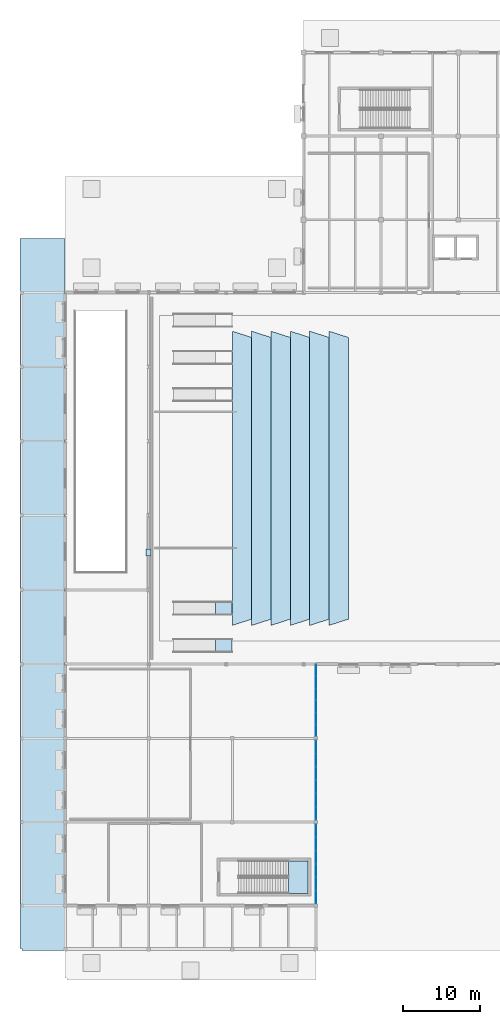
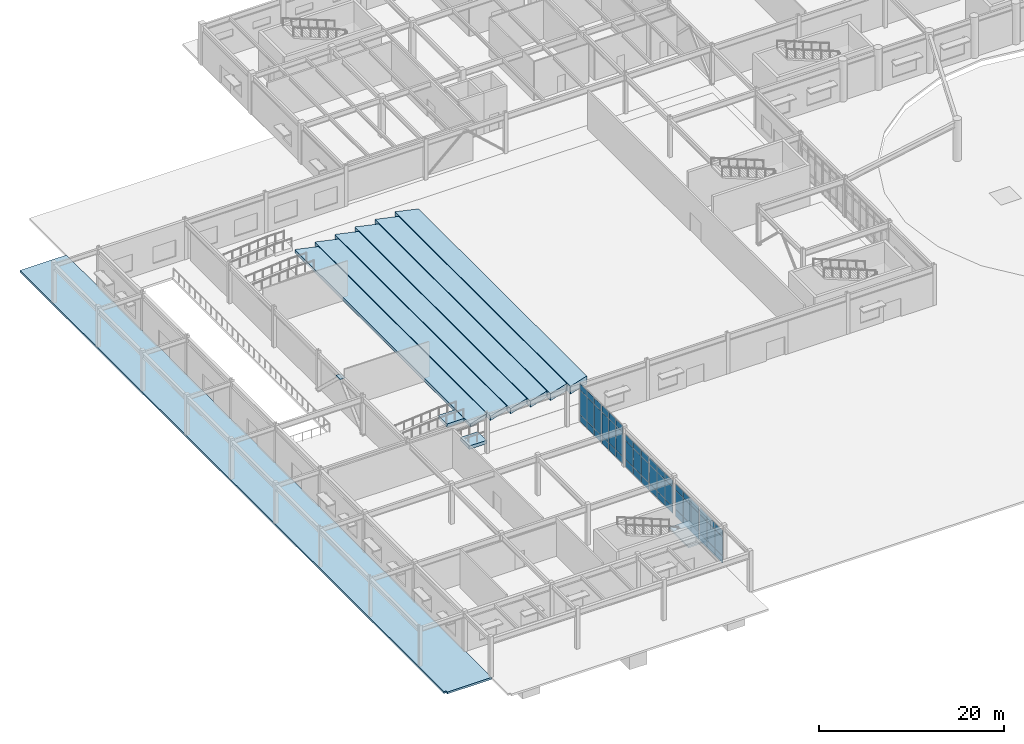
# One storey, part 22 of 54: 55 plates, 10 slabs, 7 elements without a shape of their own.
"""IFC4 building model written with IfcOpenShell, lengths in metres."""

from ifc_helpers import new_model, si_unit, direction, frame, origin, origin_2d, place, context, subcontext, project, spatial, polyline, rectangle, outline, extrude, material, layer, layer_set, type_object, element, aggregate, save


model = new_model("IFC4")

# Units and contexts
model_context = context("Model", 3, precision=1e-05, world=origin(), true_north=direction((0.0, 1.0)))
body_context = subcontext(model_context, "Body", "Model", "MODEL_VIEW")
ifc_project = project(units=[si_unit("LENGTHUNIT", "METRE"), si_unit("AREAUNIT", "SQUARE_METRE"), si_unit("VOLUMEUNIT", "CUBIC_METRE"), si_unit("PLANEANGLEUNIT", "RADIAN"), si_unit("MASSUNIT", "GRAM", prefix="KILO")], contexts=[model_context])

# Site, building, storey
site_placement = place(None, origin())
site = spatial("IfcSite", under=ifc_project, at=site_placement, CompositionType="ELEMENT")
building_placement = place(site_placement, origin())
building = spatial("IfcBuilding", under=site, at=building_placement, Name="Veldera Park Congress Hotel", CompositionType="ELEMENT")
storey_placement = place(building_placement, origin())
storey = spatial("IfcBuildingStorey", under=building, at=storey_placement, Name="L00", CompositionType="ELEMENT", Elevation=0.0)

# Curtain wall, plates
ifc_material_1 = material(Name="Low-E Triple Insulating Glass Unit (SHGC 0.22)", Category="glass")
curtain_wall_type = type_object("IfcCurtainWallType", Name="CW-SPA", PredefinedType="NOTDEFINED", material=ifc_material_1)
curtain_wall_1_placement = place(storey_placement, origin())
curtain_wall_1 = element("IfcCurtainWall", 1, at=curtain_wall_1_placement, inside=storey, type_object=curtain_wall_type, Name="L00 Curtain Wall CW3-V3E-L00-005", PredefinedType="NOTDEFINED")
ifc_layer_1 = layer(ifc_material_1, 0.0439453125)
ifc_layer_set_1 = layer_set([ifc_layer_1], Name="Low-E Triple Insulating Glass Unit (SHGC 0.22)")
plate_type_1 = type_object("IfcPlateType", Name="CWP-IGU44", PredefinedType="CURTAIN_PANEL", material=ifc_layer_set_1)
plate_1_placement = place(storey_placement, frame((-45.800048828125, -51.066650390625, 0.06005859375), z_axis=(0.0, 0.0, 1.0), x_axis=(0.0, 1.0, 0.0)))
plate_1 = element("IfcPlate", 2, at=plate_1_placement, type_object=plate_type_1, Name="CW-SPA panel 1.1", PredefinedType="CURTAIN_PANEL", context=body_context, shape_type="SweptSolid", body=[
    extrude(rectangle(XDim=1.61669921875, YDim=0.0439453125, at=origin_2d()), origin(), (0.0, 0.0, 1.0), 0.909912109375),
])
plate_2_placement = place(storey_placement, frame((-45.800048828125, -51.066650390625, 1.030029296875), z_axis=(0.0, 0.0, 1.0), x_axis=(0.0, 1.0, 0.0)))
plate_2 = element("IfcPlate", 3, at=plate_2_placement, type_object=plate_type_1, Name="CW-SPA panel 1.2", PredefinedType="CURTAIN_PANEL", context=body_context, shape_type="SweptSolid", body=[
    extrude(rectangle(XDim=1.61669921875, YDim=0.0439453125, at=origin_2d()), origin(), (0.0, 0.0, 1.0), 2.4619140625),
])
plate_3_placement = place(storey_placement, frame((-45.800048828125, -51.066650390625, 3.552001953125), z_axis=(0.0, 0.0, 1.0), x_axis=(0.0, 1.0, 0.0)))
plate_3 = element("IfcPlate", 4, at=plate_3_placement, type_object=plate_type_1, Name="CW-SPA panel 1.3", PredefinedType="CURTAIN_PANEL", context=body_context, shape_type="SweptSolid", body=[
    extrude(rectangle(XDim=1.61669921875, YDim=0.0439453125, at=origin_2d()), origin(), (0.0, 0.0, 1.0), 0.81005859375),
])
plate_4_placement = place(storey_placement, frame((-45.800048828125, -49.375, 0.06005859375), z_axis=(0.0, 0.0, 1.0), x_axis=(0.0, 1.0, 0.0)))
plate_4 = element("IfcPlate", 5, at=plate_4_placement, type_object=plate_type_1, Name="CW-SPA panel 2.1", PredefinedType="CURTAIN_PANEL", context=body_context, shape_type="SweptSolid", body=[
    extrude(rectangle(XDim=1.646728515625, YDim=0.0439453125, at=origin_2d()), origin(), (0.0, 0.0, 1.0), 0.909912109375),
])
plate_5_placement = place(storey_placement, frame((-45.800048828125, -49.375, 1.030029296875), z_axis=(0.0, 0.0, 1.0), x_axis=(0.0, 1.0, 0.0)))
plate_5 = element("IfcPlate", 6, at=plate_5_placement, type_object=plate_type_1, Name="CW-SPA panel 2.2", PredefinedType="CURTAIN_PANEL", context=body_context, shape_type="SweptSolid", body=[
    extrude(rectangle(XDim=1.646728515625, YDim=0.0439453125, at=origin_2d()), origin(), (0.0, 0.0, 1.0), 2.4619140625),
])
plate_6_placement = place(storey_placement, frame((-45.800048828125, -49.375, 3.552001953125), z_axis=(0.0, 0.0, 1.0), x_axis=(0.0, 1.0, 0.0)))
plate_6 = element("IfcPlate", 7, at=plate_6_placement, type_object=plate_type_1, Name="CW-SPA panel 2.3", PredefinedType="CURTAIN_PANEL", context=body_context, shape_type="SweptSolid", body=[
    extrude(rectangle(XDim=1.646728515625, YDim=0.0439453125, at=origin_2d()), origin(), (0.0, 0.0, 1.0), 0.81005859375),
])
plate_7_placement = place(storey_placement, frame((-45.800048828125, -47.683349609375, 0.06005859375), z_axis=(0.0, 0.0, 1.0), x_axis=(0.0, 1.0, 0.0)))
plate_7 = element("IfcPlate", 8, at=plate_7_placement, type_object=plate_type_1, Name="CW-SPA panel 3.1", PredefinedType="CURTAIN_PANEL", context=body_context, shape_type="SweptSolid", body=[
    extrude(rectangle(XDim=1.61669921875, YDim=0.0439453125, at=origin_2d()), origin(), (0.0, 0.0, 1.0), 0.909912109375),
])
plate_8_placement = place(storey_placement, frame((-45.800048828125, -47.683349609375, 1.030029296875), z_axis=(0.0, 0.0, 1.0), x_axis=(0.0, 1.0, 0.0)))
plate_8 = element("IfcPlate", 9, at=plate_8_placement, type_object=plate_type_1, Name="CW-SPA panel 3.2", PredefinedType="CURTAIN_PANEL", context=body_context, shape_type="SweptSolid", body=[
    extrude(rectangle(XDim=1.61669921875, YDim=0.0439453125, at=origin_2d()), origin(), (0.0, 0.0, 1.0), 2.4619140625),
])
plate_9_placement = place(storey_placement, frame((-45.800048828125, -47.683349609375, 3.552001953125), z_axis=(0.0, 0.0, 1.0), x_axis=(0.0, 1.0, 0.0)))
plate_9 = element("IfcPlate", 10, at=plate_9_placement, type_object=plate_type_1, Name="CW-SPA panel 3.3", PredefinedType="CURTAIN_PANEL", context=body_context, shape_type="SweptSolid", body=[
    extrude(rectangle(XDim=1.61669921875, YDim=0.0439453125, at=origin_2d()), origin(), (0.0, 0.0, 1.0), 0.81005859375),
])
aggregate(curtain_wall_1, [plate_1, plate_2, plate_3, plate_4, plate_5, plate_6, plate_7, plate_8, plate_9])

curtain_wall_2_placement = place(storey_placement, origin())
curtain_wall_2 = element("IfcCurtainWall", 11, at=curtain_wall_2_placement, inside=storey, type_object=curtain_wall_type, Name="L00 Curtain Wall CW3-V3E-L00-006", PredefinedType="NOTDEFINED")
plate_10_placement = place(storey_placement, frame((-45.800048828125, -45.916748046875, 0.06005859375), z_axis=(0.0, 0.0, 1.0), x_axis=(0.0, 1.0, 0.0)))
plate_10 = element("IfcPlate", 12, at=plate_10_placement, type_object=plate_type_1, Name="CW-SPA panel 1.1", PredefinedType="CURTAIN_PANEL", context=body_context, shape_type="SweptSolid", body=[
    extrude(rectangle(XDim=1.61669921875, YDim=0.0439453125, at=origin_2d()), origin(), (0.0, 0.0, 1.0), 0.909912109375),
])
plate_11_placement = place(storey_placement, frame((-45.800048828125, -45.916748046875, 1.030029296875), z_axis=(0.0, 0.0, 1.0), x_axis=(0.0, 1.0, 0.0)))
plate_11 = element("IfcPlate", 13, at=plate_11_placement, type_object=plate_type_1, Name="CW-SPA panel 1.2", PredefinedType="CURTAIN_PANEL", context=body_context, shape_type="SweptSolid", body=[
    extrude(rectangle(XDim=1.61669921875, YDim=0.0439453125, at=origin_2d()), origin(), (0.0, 0.0, 1.0), 2.4619140625),
])
plate_12_placement = place(storey_placement, frame((-45.800048828125, -45.916748046875, 3.552001953125), z_axis=(0.0, 0.0, 1.0), x_axis=(0.0, 1.0, 0.0)))
plate_12 = element("IfcPlate", 14, at=plate_12_placement, type_object=plate_type_1, Name="CW-SPA panel 1.3", PredefinedType="CURTAIN_PANEL", context=body_context, shape_type="SweptSolid", body=[
    extrude(rectangle(XDim=1.61669921875, YDim=0.0439453125, at=origin_2d()), origin(), (0.0, 0.0, 1.0), 0.81005859375),
])
plate_13_placement = place(storey_placement, frame((-45.800048828125, -44.22509765625, 0.06005859375), z_axis=(0.0, 0.0, 1.0), x_axis=(0.0, 1.0, 0.0)))
plate_13 = element("IfcPlate", 15, at=plate_13_placement, type_object=plate_type_1, Name="CW-SPA panel 2.1", PredefinedType="CURTAIN_PANEL", context=body_context, shape_type="SweptSolid", body=[
    extrude(rectangle(XDim=1.646728515625, YDim=0.0439453125, at=origin_2d()), origin(), (0.0, 0.0, 1.0), 0.909912109375),
])
plate_14_placement = place(storey_placement, frame((-45.800048828125, -44.22509765625, 1.030029296875), z_axis=(0.0, 0.0, 1.0), x_axis=(0.0, 1.0, 0.0)))
plate_14 = element("IfcPlate", 16, at=plate_14_placement, type_object=plate_type_1, Name="CW-SPA panel 2.2", PredefinedType="CURTAIN_PANEL", context=body_context, shape_type="SweptSolid", body=[
    extrude(rectangle(XDim=1.646728515625, YDim=0.0439453125, at=origin_2d()), origin(), (0.0, 0.0, 1.0), 2.4619140625),
])
plate_15_placement = place(storey_placement, frame((-45.800048828125, -44.22509765625, 3.552001953125), z_axis=(0.0, 0.0, 1.0), x_axis=(0.0, 1.0, 0.0)))
plate_15 = element("IfcPlate", 17, at=plate_15_placement, type_object=plate_type_1, Name="CW-SPA panel 2.3", PredefinedType="CURTAIN_PANEL", context=body_context, shape_type="SweptSolid", body=[
    extrude(rectangle(XDim=1.646728515625, YDim=0.0439453125, at=origin_2d()), origin(), (0.0, 0.0, 1.0), 0.81005859375),
])
plate_16_placement = place(storey_placement, frame((-45.800048828125, -42.533447265625, 0.06005859375), z_axis=(0.0, 0.0, 1.0), x_axis=(0.0, 1.0, 0.0)))
plate_16 = element("IfcPlate", 18, at=plate_16_placement, type_object=plate_type_1, Name="CW-SPA panel 3.1", PredefinedType="CURTAIN_PANEL", context=body_context, shape_type="SweptSolid", body=[
    extrude(rectangle(XDim=1.61669921875, YDim=0.0439453125, at=origin_2d()), origin(), (0.0, 0.0, 1.0), 0.909912109375),
])
plate_17_placement = place(storey_placement, frame((-45.800048828125, -42.533447265625, 1.030029296875), z_axis=(0.0, 0.0, 1.0), x_axis=(0.0, 1.0, 0.0)))
plate_17 = element("IfcPlate", 19, at=plate_17_placement, type_object=plate_type_1, Name="CW-SPA panel 3.2", PredefinedType="CURTAIN_PANEL", context=body_context, shape_type="SweptSolid", body=[
    extrude(rectangle(XDim=1.61669921875, YDim=0.0439453125, at=origin_2d()), origin(), (0.0, 0.0, 1.0), 2.4619140625),
])
plate_18_placement = place(storey_placement, frame((-45.800048828125, -42.533447265625, 3.552001953125), z_axis=(0.0, 0.0, 1.0), x_axis=(0.0, 1.0, 0.0)))
plate_18 = element("IfcPlate", 20, at=plate_18_placement, type_object=plate_type_1, Name="CW-SPA panel 3.3", PredefinedType="CURTAIN_PANEL", context=body_context, shape_type="SweptSolid", body=[
    extrude(rectangle(XDim=1.61669921875, YDim=0.0439453125, at=origin_2d()), origin(), (0.0, 0.0, 1.0), 0.81005859375),
])
aggregate(curtain_wall_2, [plate_10, plate_11, plate_12, plate_13, plate_14, plate_15, plate_16, plate_17, plate_18])

curtain_wall_3_placement = place(storey_placement, origin())
curtain_wall_3 = element("IfcCurtainWall", 21, at=curtain_wall_3_placement, inside=storey, type_object=curtain_wall_type, Name="L00 Curtain Wall CW3-V3E-L00-007", PredefinedType="NOTDEFINED")
plate_19_placement = place(storey_placement, frame((-45.800048828125, -40.2666015625, 0.06005859375), z_axis=(0.0, 0.0, 1.0), x_axis=(0.0, 1.0, 0.0)))
plate_19 = element("IfcPlate", 22, at=plate_19_placement, type_object=plate_type_1, Name="CW-SPA panel 1.1", PredefinedType="CURTAIN_PANEL", context=body_context, shape_type="SweptSolid", body=[
    extrude(rectangle(XDim=1.61669921875, YDim=0.0439453125, at=origin_2d()), origin(), (0.0, 0.0, 1.0), 0.909912109375),
])
plate_20_placement = place(storey_placement, frame((-45.800048828125, -40.2666015625, 1.030029296875), z_axis=(0.0, 0.0, 1.0), x_axis=(0.0, 1.0, 0.0)))
plate_20 = element("IfcPlate", 23, at=plate_20_placement, type_object=plate_type_1, Name="CW-SPA panel 1.2", PredefinedType="CURTAIN_PANEL", context=body_context, shape_type="SweptSolid", body=[
    extrude(rectangle(XDim=1.61669921875, YDim=0.0439453125, at=origin_2d()), origin(), (0.0, 0.0, 1.0), 2.4619140625),
])
plate_21_placement = place(storey_placement, frame((-45.800048828125, -40.2666015625, 3.552001953125), z_axis=(0.0, 0.0, 1.0), x_axis=(0.0, 1.0, 0.0)))
plate_21 = element("IfcPlate", 24, at=plate_21_placement, type_object=plate_type_1, Name="CW-SPA panel 1.3", PredefinedType="CURTAIN_PANEL", context=body_context, shape_type="SweptSolid", body=[
    extrude(rectangle(XDim=1.61669921875, YDim=0.0439453125, at=origin_2d()), origin(), (0.0, 0.0, 1.0), 0.81005859375),
])
plate_22_placement = place(storey_placement, frame((-45.800048828125, -38.574951171875, 0.06005859375), z_axis=(0.0, 0.0, 1.0), x_axis=(0.0, 1.0, 0.0)))
plate_22 = element("IfcPlate", 25, at=plate_22_placement, type_object=plate_type_1, Name="CW-SPA panel 2.1", PredefinedType="CURTAIN_PANEL", context=body_context, shape_type="SweptSolid", body=[
    extrude(rectangle(XDim=1.646728515625, YDim=0.0439453125, at=origin_2d()), origin(), (0.0, 0.0, 1.0), 0.909912109375),
])
plate_23_placement = place(storey_placement, frame((-45.800048828125, -38.574951171875, 1.030029296875), z_axis=(0.0, 0.0, 1.0), x_axis=(0.0, 1.0, 0.0)))
plate_23 = element("IfcPlate", 26, at=plate_23_placement, type_object=plate_type_1, Name="CW-SPA panel 2.2", PredefinedType="CURTAIN_PANEL", context=body_context, shape_type="SweptSolid", body=[
    extrude(rectangle(XDim=1.646728515625, YDim=0.0439453125, at=origin_2d()), origin(), (0.0, 0.0, 1.0), 2.4619140625),
])
plate_24_placement = place(storey_placement, frame((-45.800048828125, -38.574951171875, 3.552001953125), z_axis=(0.0, 0.0, 1.0), x_axis=(0.0, 1.0, 0.0)))
plate_24 = element("IfcPlate", 27, at=plate_24_placement, type_object=plate_type_1, Name="CW-SPA panel 2.3", PredefinedType="CURTAIN_PANEL", context=body_context, shape_type="SweptSolid", body=[
    extrude(rectangle(XDim=1.646728515625, YDim=0.0439453125, at=origin_2d()), origin(), (0.0, 0.0, 1.0), 0.81005859375),
])
plate_25_placement = place(storey_placement, frame((-45.800048828125, -36.88330078125, 0.06005859375), z_axis=(0.0, 0.0, 1.0), x_axis=(0.0, 1.0, 0.0)))
plate_25 = element("IfcPlate", 28, at=plate_25_placement, type_object=plate_type_1, Name="CW-SPA panel 3.1", PredefinedType="CURTAIN_PANEL", context=body_context, shape_type="SweptSolid", body=[
    extrude(rectangle(XDim=1.61669921875, YDim=0.0439453125, at=origin_2d()), origin(), (0.0, 0.0, 1.0), 0.909912109375),
])
plate_26_placement = place(storey_placement, frame((-45.800048828125, -36.88330078125, 1.030029296875), z_axis=(0.0, 0.0, 1.0), x_axis=(0.0, 1.0, 0.0)))
plate_26 = element("IfcPlate", 29, at=plate_26_placement, type_object=plate_type_1, Name="CW-SPA panel 3.2", PredefinedType="CURTAIN_PANEL", context=body_context, shape_type="SweptSolid", body=[
    extrude(rectangle(XDim=1.61669921875, YDim=0.0439453125, at=origin_2d()), origin(), (0.0, 0.0, 1.0), 2.4619140625),
])
plate_27_placement = place(storey_placement, frame((-45.800048828125, -36.88330078125, 3.552001953125), z_axis=(0.0, 0.0, 1.0), x_axis=(0.0, 1.0, 0.0)))
plate_27 = element("IfcPlate", 30, at=plate_27_placement, type_object=plate_type_1, Name="CW-SPA panel 3.3", PredefinedType="CURTAIN_PANEL", context=body_context, shape_type="SweptSolid", body=[
    extrude(rectangle(XDim=1.61669921875, YDim=0.0439453125, at=origin_2d()), origin(), (0.0, 0.0, 1.0), 0.81005859375),
])
aggregate(curtain_wall_3, [plate_19, plate_20, plate_21, plate_22, plate_23, plate_24, plate_25, plate_26, plate_27])

curtain_wall_4_placement = place(storey_placement, origin())
curtain_wall_4 = element("IfcCurtainWall", 31, at=curtain_wall_4_placement, inside=storey, type_object=curtain_wall_type, Name="L00 Curtain Wall CW3-V3E-L00-008", PredefinedType="NOTDEFINED")
plate_28_placement = place(storey_placement, frame((-45.800048828125, -35.11669921875, 0.06005859375), z_axis=(0.0, 0.0, 1.0), x_axis=(0.0, 1.0, 0.0)))
plate_28 = element("IfcPlate", 32, at=plate_28_placement, type_object=plate_type_1, Name="CW-SPA panel 1.1", PredefinedType="CURTAIN_PANEL", context=body_context, shape_type="SweptSolid", body=[
    extrude(rectangle(XDim=1.61669921875, YDim=0.0439453125, at=origin_2d()), origin(), (0.0, 0.0, 1.0), 0.909912109375),
])
plate_29_placement = place(storey_placement, frame((-45.800048828125, -35.11669921875, 1.030029296875), z_axis=(0.0, 0.0, 1.0), x_axis=(0.0, 1.0, 0.0)))
plate_29 = element("IfcPlate", 33, at=plate_29_placement, type_object=plate_type_1, Name="CW-SPA panel 1.2", PredefinedType="CURTAIN_PANEL", context=body_context, shape_type="SweptSolid", body=[
    extrude(rectangle(XDim=1.61669921875, YDim=0.0439453125, at=origin_2d()), origin(), (0.0, 0.0, 1.0), 2.4619140625),
])
plate_30_placement = place(storey_placement, frame((-45.800048828125, -35.11669921875, 3.552001953125), z_axis=(0.0, 0.0, 1.0), x_axis=(0.0, 1.0, 0.0)))
plate_30 = element("IfcPlate", 34, at=plate_30_placement, type_object=plate_type_1, Name="CW-SPA panel 1.3", PredefinedType="CURTAIN_PANEL", context=body_context, shape_type="SweptSolid", body=[
    extrude(rectangle(XDim=1.61669921875, YDim=0.0439453125, at=origin_2d()), origin(), (0.0, 0.0, 1.0), 0.81005859375),
])
plate_31_placement = place(storey_placement, frame((-45.800048828125, -33.425048828125, 0.06005859375), z_axis=(0.0, 0.0, 1.0), x_axis=(0.0, 1.0, 0.0)))
plate_31 = element("IfcPlate", 35, at=plate_31_placement, type_object=plate_type_1, Name="CW-SPA panel 2.1", PredefinedType="CURTAIN_PANEL", context=body_context, shape_type="SweptSolid", body=[
    extrude(rectangle(XDim=1.646728515625, YDim=0.0439453125, at=origin_2d()), origin(), (0.0, 0.0, 1.0), 0.909912109375),
])
plate_32_placement = place(storey_placement, frame((-45.800048828125, -33.425048828125, 1.030029296875), z_axis=(0.0, 0.0, 1.0), x_axis=(0.0, 1.0, 0.0)))
plate_32 = element("IfcPlate", 36, at=plate_32_placement, type_object=plate_type_1, Name="CW-SPA panel 2.2", PredefinedType="CURTAIN_PANEL", context=body_context, shape_type="SweptSolid", body=[
    extrude(rectangle(XDim=1.646728515625, YDim=0.0439453125, at=origin_2d()), origin(), (0.0, 0.0, 1.0), 2.4619140625),
])
plate_33_placement = place(storey_placement, frame((-45.800048828125, -33.425048828125, 3.552001953125), z_axis=(0.0, 0.0, 1.0), x_axis=(0.0, 1.0, 0.0)))
plate_33 = element("IfcPlate", 37, at=plate_33_placement, type_object=plate_type_1, Name="CW-SPA panel 2.3", PredefinedType="CURTAIN_PANEL", context=body_context, shape_type="SweptSolid", body=[
    extrude(rectangle(XDim=1.646728515625, YDim=0.0439453125, at=origin_2d()), origin(), (0.0, 0.0, 1.0), 0.81005859375),
])
plate_34_placement = place(storey_placement, frame((-45.800048828125, -31.7333984375, 0.06005859375), z_axis=(0.0, 0.0, 1.0), x_axis=(0.0, 1.0, 0.0)))
plate_34 = element("IfcPlate", 38, at=plate_34_placement, type_object=plate_type_1, Name="CW-SPA panel 3.1", PredefinedType="CURTAIN_PANEL", context=body_context, shape_type="SweptSolid", body=[
    extrude(rectangle(XDim=1.61669921875, YDim=0.0439453125, at=origin_2d()), origin(), (0.0, 0.0, 1.0), 0.909912109375),
])
plate_35_placement = place(storey_placement, frame((-45.800048828125, -31.7333984375, 1.030029296875), z_axis=(0.0, 0.0, 1.0), x_axis=(0.0, 1.0, 0.0)))
plate_35 = element("IfcPlate", 39, at=plate_35_placement, type_object=plate_type_1, Name="CW-SPA panel 3.2", PredefinedType="CURTAIN_PANEL", context=body_context, shape_type="SweptSolid", body=[
    extrude(rectangle(XDim=1.61669921875, YDim=0.0439453125, at=origin_2d()), origin(), (0.0, 0.0, 1.0), 2.4619140625),
])
plate_36_placement = place(storey_placement, frame((-45.800048828125, -31.7333984375, 3.552001953125), z_axis=(0.0, 0.0, 1.0), x_axis=(0.0, 1.0, 0.0)))
plate_36 = element("IfcPlate", 40, at=plate_36_placement, type_object=plate_type_1, Name="CW-SPA panel 3.3", PredefinedType="CURTAIN_PANEL", context=body_context, shape_type="SweptSolid", body=[
    extrude(rectangle(XDim=1.61669921875, YDim=0.0439453125, at=origin_2d()), origin(), (0.0, 0.0, 1.0), 0.81005859375),
])
aggregate(curtain_wall_4, [plate_28, plate_29, plate_30, plate_31, plate_32, plate_33, plate_34, plate_35, plate_36])

curtain_wall_5_placement = place(storey_placement, origin())
curtain_wall_5 = element("IfcCurtainWall", 41, at=curtain_wall_5_placement, inside=storey, type_object=curtain_wall_type, Name="L00 Curtain Wall CW3-V3E-L00-009", PredefinedType="NOTDEFINED")
plate_37_placement = place(storey_placement, frame((-45.800048828125, -29.5458984375, 0.06005859375), z_axis=(0.0, 0.0, 1.0), x_axis=(0.0, 1.0, 0.0)))
plate_37 = element("IfcPlate", 42, at=plate_37_placement, type_object=plate_type_1, Name="CW-SPA panel 1.1", PredefinedType="CURTAIN_PANEL", context=body_context, shape_type="SweptSolid", body=[
    extrude(rectangle(XDim=1.458251953125, YDim=0.0439453125, at=origin_2d()), origin(), (0.0, 0.0, 1.0), 0.909912109375),
])
plate_38_placement = place(storey_placement, frame((-45.800048828125, -29.5458984375, 1.0302734375), z_axis=(0.0, 0.0, 1.0), x_axis=(0.0, 1.0, 0.0)))
plate_38 = element("IfcPlate", 43, at=plate_38_placement, type_object=plate_type_1, Name="CW-SPA panel 1.2", PredefinedType="CURTAIN_PANEL", context=body_context, shape_type="SweptSolid", body=[
    extrude(rectangle(XDim=1.458251953125, YDim=0.0439453125, at=origin_2d()), origin(), (0.0, 0.0, 1.0), 3.159912109375),
])
plate_39_placement = place(storey_placement, frame((-45.800048828125, -29.5458984375, 4.25), z_axis=(0.0, 0.0, 1.0), x_axis=(0.0, 1.0, 0.0)))
plate_39 = element("IfcPlate", 44, at=plate_39_placement, type_object=plate_type_1, Name="CW-SPA panel 1.3", PredefinedType="CURTAIN_PANEL", context=body_context, shape_type="SweptSolid", body=[
    extrude(rectangle(XDim=1.458251953125, YDim=0.0439453125, at=origin_2d()), origin(), (0.0, 0.0, 1.0), 0.81005859375),
])
plate_40_placement = place(storey_placement, frame((-45.800048828125, -28.012451171875, 0.06005859375), z_axis=(0.0, 0.0, 1.0), x_axis=(0.0, 1.0, 0.0)))
plate_40 = element("IfcPlate", 45, at=plate_40_placement, type_object=plate_type_1, Name="CW-SPA panel 2.1", PredefinedType="CURTAIN_PANEL", context=body_context, shape_type="SweptSolid", body=[
    extrude(rectangle(XDim=1.48828125, YDim=0.0439453125, at=origin_2d()), origin(), (0.0, 0.0, 1.0), 0.909912109375),
])
plate_41_placement = place(storey_placement, frame((-45.800048828125, -28.012451171875, 1.0302734375), z_axis=(0.0, 0.0, 1.0), x_axis=(0.0, 1.0, 0.0)))
plate_41 = element("IfcPlate", 46, at=plate_41_placement, type_object=plate_type_1, Name="CW-SPA panel 2.2", PredefinedType="CURTAIN_PANEL", context=body_context, shape_type="SweptSolid", body=[
    extrude(rectangle(XDim=1.48828125, YDim=0.0439453125, at=origin_2d()), origin(), (0.0, 0.0, 1.0), 3.159912109375),
])
plate_42_placement = place(storey_placement, frame((-45.800048828125, -28.012451171875, 4.25), z_axis=(0.0, 0.0, 1.0), x_axis=(0.0, 1.0, 0.0)))
plate_42 = element("IfcPlate", 47, at=plate_42_placement, type_object=plate_type_1, Name="CW-SPA panel 2.3", PredefinedType="CURTAIN_PANEL", context=body_context, shape_type="SweptSolid", body=[
    extrude(rectangle(XDim=1.48828125, YDim=0.0439453125, at=origin_2d()), origin(), (0.0, 0.0, 1.0), 0.81005859375),
])
plate_43_placement = place(storey_placement, frame((-45.800048828125, -26.479248046875, 0.06005859375), z_axis=(0.0, 0.0, 1.0), x_axis=(0.0, 1.0, 0.0)))
plate_43 = element("IfcPlate", 48, at=plate_43_placement, type_object=plate_type_1, Name="CW-SPA panel 3.1", PredefinedType="CURTAIN_PANEL", context=body_context, shape_type="SweptSolid", body=[
    extrude(rectangle(XDim=1.458251953125, YDim=0.0439453125, at=origin_2d()), origin(), (0.0, 0.0, 1.0), 0.909912109375),
])
plate_44_placement = place(storey_placement, frame((-45.800048828125, -26.479248046875, 1.0302734375), z_axis=(0.0, 0.0, 1.0), x_axis=(0.0, 1.0, 0.0)))
plate_44 = element("IfcPlate", 49, at=plate_44_placement, type_object=plate_type_1, Name="CW-SPA panel 3.2", PredefinedType="CURTAIN_PANEL", context=body_context, shape_type="SweptSolid", body=[
    extrude(rectangle(XDim=1.458251953125, YDim=0.0439453125, at=origin_2d()), origin(), (0.0, 0.0, 1.0), 3.159912109375),
])
plate_45_placement = place(storey_placement, frame((-45.800048828125, -26.479248046875, 4.25), z_axis=(0.0, 0.0, 1.0), x_axis=(0.0, 1.0, 0.0)))
plate_45 = element("IfcPlate", 50, at=plate_45_placement, type_object=plate_type_1, Name="CW-SPA panel 3.3", PredefinedType="CURTAIN_PANEL", context=body_context, shape_type="SweptSolid", body=[
    extrude(rectangle(XDim=1.458251953125, YDim=0.0439453125, at=origin_2d()), origin(), (0.0, 0.0, 1.0), 0.81005859375),
])
aggregate(curtain_wall_5, [plate_37, plate_38, plate_39, plate_40, plate_41, plate_42, plate_43, plate_44, plate_45])

curtain_wall_6_placement = place(storey_placement, origin())
curtain_wall_6 = element("IfcCurtainWall", 51, at=curtain_wall_6_placement, inside=storey, type_object=curtain_wall_type, Name="L00 Curtain Wall CW3-V3E-L00-010", PredefinedType="NOTDEFINED")
plate_46_placement = place(storey_placement, frame((-45.800048828125, -24.870849609375, 0.06005859375), z_axis=(0.0, 0.0, 1.0), x_axis=(0.0, 1.0, 0.0)))
plate_46 = element("IfcPlate", 52, at=plate_46_placement, type_object=plate_type_1, Name="CW-SPA panel 1.1", PredefinedType="CURTAIN_PANEL", context=body_context, shape_type="SweptSolid", body=[
    extrude(rectangle(XDim=1.458251953125, YDim=0.0439453125, at=origin_2d()), origin(), (0.0, 0.0, 1.0), 0.909912109375),
])
plate_47_placement = place(storey_placement, frame((-45.800048828125, -24.870849609375, 1.0302734375), z_axis=(0.0, 0.0, 1.0), x_axis=(0.0, 1.0, 0.0)))
plate_47 = element("IfcPlate", 53, at=plate_47_placement, type_object=plate_type_1, Name="CW-SPA panel 1.2", PredefinedType="CURTAIN_PANEL", context=body_context, shape_type="SweptSolid", body=[
    extrude(rectangle(XDim=1.458251953125, YDim=0.0439453125, at=origin_2d()), origin(), (0.0, 0.0, 1.0), 3.159912109375),
])
plate_48_placement = place(storey_placement, frame((-45.800048828125, -24.870849609375, 4.25), z_axis=(0.0, 0.0, 1.0), x_axis=(0.0, 1.0, 0.0)))
plate_48 = element("IfcPlate", 54, at=plate_48_placement, type_object=plate_type_1, Name="CW-SPA panel 1.3", PredefinedType="CURTAIN_PANEL", context=body_context, shape_type="SweptSolid", body=[
    extrude(rectangle(XDim=1.458251953125, YDim=0.0439453125, at=origin_2d()), origin(), (0.0, 0.0, 1.0), 0.81005859375),
])
plate_49_placement = place(storey_placement, frame((-45.800048828125, -23.33740234375, 0.06005859375), z_axis=(0.0, 0.0, 1.0), x_axis=(0.0, 1.0, 0.0)))
plate_49 = element("IfcPlate", 55, at=plate_49_placement, type_object=plate_type_1, Name="CW-SPA panel 2.1", PredefinedType="CURTAIN_PANEL", context=body_context, shape_type="SweptSolid", body=[
    extrude(rectangle(XDim=1.48828125, YDim=0.0439453125, at=origin_2d()), origin(), (0.0, 0.0, 1.0), 0.909912109375),
])
plate_50_placement = place(storey_placement, frame((-45.800048828125, -23.33740234375, 1.0302734375), z_axis=(0.0, 0.0, 1.0), x_axis=(0.0, 1.0, 0.0)))
plate_50 = element("IfcPlate", 56, at=plate_50_placement, type_object=plate_type_1, Name="CW-SPA panel 2.2", PredefinedType="CURTAIN_PANEL", context=body_context, shape_type="SweptSolid", body=[
    extrude(rectangle(XDim=1.48828125, YDim=0.0439453125, at=origin_2d()), origin(), (0.0, 0.0, 1.0), 3.159912109375),
])
plate_51_placement = place(storey_placement, frame((-45.800048828125, -23.33740234375, 4.25), z_axis=(0.0, 0.0, 1.0), x_axis=(0.0, 1.0, 0.0)))
plate_51 = element("IfcPlate", 57, at=plate_51_placement, type_object=plate_type_1, Name="CW-SPA panel 2.3", PredefinedType="CURTAIN_PANEL", context=body_context, shape_type="SweptSolid", body=[
    extrude(rectangle(XDim=1.48828125, YDim=0.0439453125, at=origin_2d()), origin(), (0.0, 0.0, 1.0), 0.81005859375),
])
plate_52_placement = place(storey_placement, frame((-45.800048828125, -21.80419921875, 0.06005859375), z_axis=(0.0, 0.0, 1.0), x_axis=(0.0, 1.0, 0.0)))
plate_52 = element("IfcPlate", 58, at=plate_52_placement, type_object=plate_type_1, Name="CW-SPA panel 3.1", PredefinedType="CURTAIN_PANEL", context=body_context, shape_type="SweptSolid", body=[
    extrude(rectangle(XDim=1.458251953125, YDim=0.0439453125, at=origin_2d()), origin(), (0.0, 0.0, 1.0), 0.909912109375),
])
plate_53_placement = place(storey_placement, frame((-45.800048828125, -21.80419921875, 1.0302734375), z_axis=(0.0, 0.0, 1.0), x_axis=(0.0, 1.0, 0.0)))
plate_53 = element("IfcPlate", 59, at=plate_53_placement, type_object=plate_type_1, Name="CW-SPA panel 3.2", PredefinedType="CURTAIN_PANEL", context=body_context, shape_type="SweptSolid", body=[
    extrude(rectangle(XDim=1.458251953125, YDim=0.0439453125, at=origin_2d()), origin(), (0.0, 0.0, 1.0), 3.159912109375),
])
plate_54_placement = place(storey_placement, frame((-45.800048828125, -21.80419921875, 4.25), z_axis=(0.0, 0.0, 1.0), x_axis=(0.0, 1.0, 0.0)))
plate_54 = element("IfcPlate", 60, at=plate_54_placement, type_object=plate_type_1, Name="CW-SPA panel 3.3", PredefinedType="CURTAIN_PANEL", context=body_context, shape_type="SweptSolid", body=[
    extrude(rectangle(XDim=1.458251953125, YDim=0.0439453125, at=origin_2d()), origin(), (0.0, 0.0, 1.0), 0.81005859375),
])
aggregate(curtain_wall_6, [plate_46, plate_47, plate_48, plate_49, plate_50, plate_51, plate_52, plate_53, plate_54])

# Plate
ifc_material_2 = material(Name="Steel ASTM A572 Gr.50", Category="steel")
ifc_layer_2 = layer(ifc_material_2, 0.050048828125)
ifc_layer_set_2 = layer_set([ifc_layer_2], Name="Steel ASTM A572 Gr.50")
plate_type_2 = type_object("IfcPlateType", Name="PLT-GUS05", PredefinedType="USERDEFINED", material=ifc_layer_set_2)
plate_55_placement = place(storey_placement, frame((-67.39990234375, -6.60009765625, 4.74853515625), z_axis=(0.0, 0.0, 1.0), x_axis=(0.0, 1.0, 0.0)))
element("IfcPlate", 61, at=plate_55_placement, inside=storey, type_object=plate_type_2, Name="Chevron Apex Gusset Plate 5", ObjectType="GUSSET PLATE", PredefinedType="USERDEFINED", context=body_context, shape_type="SweptSolid", body=[
    extrude(rectangle(XDim=0.89990234375, YDim=0.639892578125, at=origin_2d()), origin(), (0.0, 0.0, 1.0), 0.050048828125),
])

# Slabs
ifc_material_3 = material(Name="Concrete f'c 35 MPa (5,000 psi)", Category="concrete")
ifc_layer_3 = layer(ifc_material_3, 0.25)
ifc_layer_set_3 = layer_set([ifc_layer_3], Name="Concrete f'c 35 MPa (5,000 psi)")
slab_type_1 = type_object("IfcSlabType", Name="SLB-APR250", PredefinedType="BASESLAB", material=ifc_layer_set_3)
slab_1_placement = place(storey_placement, frame((0.0, 0.0, -0.25)))
element("IfcSlab", 62, at=slab_1_placement, inside=storey, type_object=slab_type_1, Name="L00 Exterior Arrival Terrace Apron SLB-APR-WEST", PredefinedType="BASESLAB", context=body_context, shape_type="SweptSolid", body=[
    extrude(outline(polyline([(-84.0, -57.739990234375), (-83.739990234375, -57.739990234375), (-83.739990234375, -58.0), (-78.199951171875, -58.0), (-78.199951171875, 34.0), (-84.0, 34.0), (-84.0, -57.739990234375)])), origin(), (0.0, 0.0, 1.0), 0.25),
])
ifc_material_4 = material(Name="Concrete f'c 40 MPa (5,800 psi)", Category="concrete")
ifc_layer_4 = layer(ifc_material_4, 0.449951171875)
ifc_layer_set_4 = layer_set([ifc_layer_4], Name="Concrete f'c 40 MPa (5,800 psi)")
slab_type_2 = type_object("IfcSlabType", Name="SLB-RLND450", PredefinedType="FLOOR", material=ifc_layer_set_4)
slab_2_placement = place(storey_placement, origin())
element("IfcSlab", 63, at=slab_2_placement, inside=storey, type_object=slab_type_2, Name="Accessible Ramp 1 Top Landing Platform", PredefinedType="FLOOR", context=body_context, shape_type="SweptSolid", body=[
    extrude(outline(polyline([(-58.800048828125, -19.550048828125), (-56.64990234375, -19.550048828125), (-56.64990234375, -17.64990234375), (-58.800048828125, -17.64990234375), (-58.800048828125, -19.550048828125)])), origin(), (0.0, 0.0, 1.0), 0.449951171875),
])
slab_3_placement = place(storey_placement, origin())
element("IfcSlab", 64, at=slab_3_placement, inside=storey, type_object=slab_type_2, Name="Accessible Ramp 2 Top Landing Platform", PredefinedType="FLOOR", context=body_context, shape_type="SweptSolid", body=[
    extrude(outline(polyline([(-58.800048828125, -14.75), (-56.64990234375, -14.75), (-56.64990234375, -12.85009765625), (-58.800048828125, -12.85009765625), (-58.800048828125, -14.75)])), origin(), (0.0, 0.0, 1.0), 0.449951171875),
])
ifc_layer_5 = layer(ifc_material_4, 0.18994140625)
ifc_layer_set_5 = layer_set([ifc_layer_5], Name="Concrete f'c 40 MPa (5,800 psi)")
slab_type_3 = type_object("IfcSlabType", Name="SLB-TIER190", PredefinedType="USERDEFINED", material=ifc_layer_set_5)
slab_4_placement = place(storey_placement, origin())
element("IfcSlab", 65, at=slab_4_placement, inside=storey, type_object=slab_type_3, Name="Stand Lower Seating Tier 1", ObjectType="SEATING TIER", PredefinedType="USERDEFINED", context=body_context, shape_type="SweptSolid", body=[
    extrude(outline(polyline([(-56.60009765625, -16.0), (-54.10009765625, -15.199951171875), (-54.10009765625, 21.199951171875), (-56.60009765625, 22.0), (-56.60009765625, -16.0)])), origin(), (0.0, 0.0, 1.0), 0.449951171875),
])
slab_5_placement = place(storey_placement, origin())
element("IfcSlab", 66, at=slab_5_placement, inside=storey, type_object=slab_type_3, Name="Stand Lower Seating Tier 2", ObjectType="SEATING TIER", PredefinedType="USERDEFINED", context=body_context, shape_type="SweptSolid", body=[
    extrude(outline(polyline([(-54.10009765625, -16.0), (-51.60009765625, -15.199951171875), (-51.60009765625, 21.199951171875), (-54.10009765625, 22.0), (-54.10009765625, -16.0)])), origin(), (0.0, 0.0, 1.0), 0.570068359375),
])
slab_6_placement = place(storey_placement, origin())
element("IfcSlab", 67, at=slab_6_placement, inside=storey, type_object=slab_type_3, Name="Stand Lower Seating Tier 3", ObjectType="SEATING TIER", PredefinedType="USERDEFINED", context=body_context, shape_type="SweptSolid", body=[
    extrude(outline(polyline([(-51.60009765625, -16.0), (-49.10009765625, -15.199951171875), (-49.10009765625, 21.199951171875), (-51.60009765625, 22.0), (-51.60009765625, -16.0)])), origin(), (0.0, 0.0, 1.0), 0.68994140625),
])
slab_7_placement = place(storey_placement, origin())
element("IfcSlab", 68, at=slab_7_placement, inside=storey, type_object=slab_type_3, Name="Stand Lower Seating Tier 4", ObjectType="SEATING TIER", PredefinedType="USERDEFINED", context=body_context, shape_type="SweptSolid", body=[
    extrude(outline(polyline([(-49.10009765625, -16.0), (-46.60009765625, -15.199951171875), (-46.60009765625, 21.199951171875), (-49.10009765625, 22.0), (-49.10009765625, -16.0)])), origin(), (0.0, 0.0, 1.0), 0.81005859375),
])
slab_8_placement = place(storey_placement, origin())
element("IfcSlab", 69, at=slab_8_placement, inside=storey, type_object=slab_type_3, Name="Stand Lower Seating Tier 5", ObjectType="SEATING TIER", PredefinedType="USERDEFINED", context=body_context, shape_type="SweptSolid", body=[
    extrude(outline(polyline([(-46.60009765625, -16.0), (-44.10009765625, -15.199951171875), (-44.10009765625, 21.199951171875), (-46.60009765625, 22.0), (-46.60009765625, -16.0)])), origin(), (0.0, 0.0, 1.0), 0.929931640625),
])
slab_9_placement = place(storey_placement, origin())
element("IfcSlab", 70, at=slab_9_placement, inside=storey, type_object=slab_type_3, Name="Stand Lower Seating Tier 6", ObjectType="SEATING TIER", PredefinedType="USERDEFINED", context=body_context, shape_type="SweptSolid", body=[
    extrude(outline(polyline([(-44.10009765625, -16.0), (-41.60009765625, -15.199951171875), (-41.60009765625, 21.199951171875), (-44.10009765625, 22.0), (-44.10009765625, -16.0)])), origin(), (0.0, 0.0, 1.0), 1.050048828125),
])

# Stair, slab
stair_type = type_object("IfcStairType", Name="ST8", PredefinedType="HALF_TURN_STAIR", material=ifc_material_4)
stair_placement = place(storey_placement, origin())
stair = element("IfcStair", 71, at=stair_placement, inside=storey, type_object=stair_type, Name="L00 Protected Exit Stair ST8", PredefinedType="HALF_TURN_STAIR")
ifc_layer_6 = layer(ifc_material_4, 0.199951171875)
ifc_layer_set_6 = layer_set([ifc_layer_6], Name="Concrete f'c 40 MPa (5,800 psi)")
slab_type_4 = type_object("IfcSlabType", Name="SLD-ST8", PredefinedType="LANDING", material=ifc_layer_set_6)
slab_10_placement = place(storey_placement, frame((0.0, 0.0, 2.5)))
slab_10 = element("IfcSlab", 72, at=slab_10_placement, type_object=slab_type_4, Name="ST8 landing 1", PredefinedType="LANDING", context=body_context, shape_type="SweptSolid", body=[
    extrude(outline(polyline([(-49.35498046875, -50.60009765625), (-46.800048828125, -50.60009765625), (-46.800048828125, -46.39990234375), (-49.35498046875, -46.39990234375), (-49.35498046875, -50.60009765625)])), origin(), (0.0, 0.0, 1.0), 0.199951171875),
])
aggregate(stair, [slab_10])

save(model, "model.ifc")
